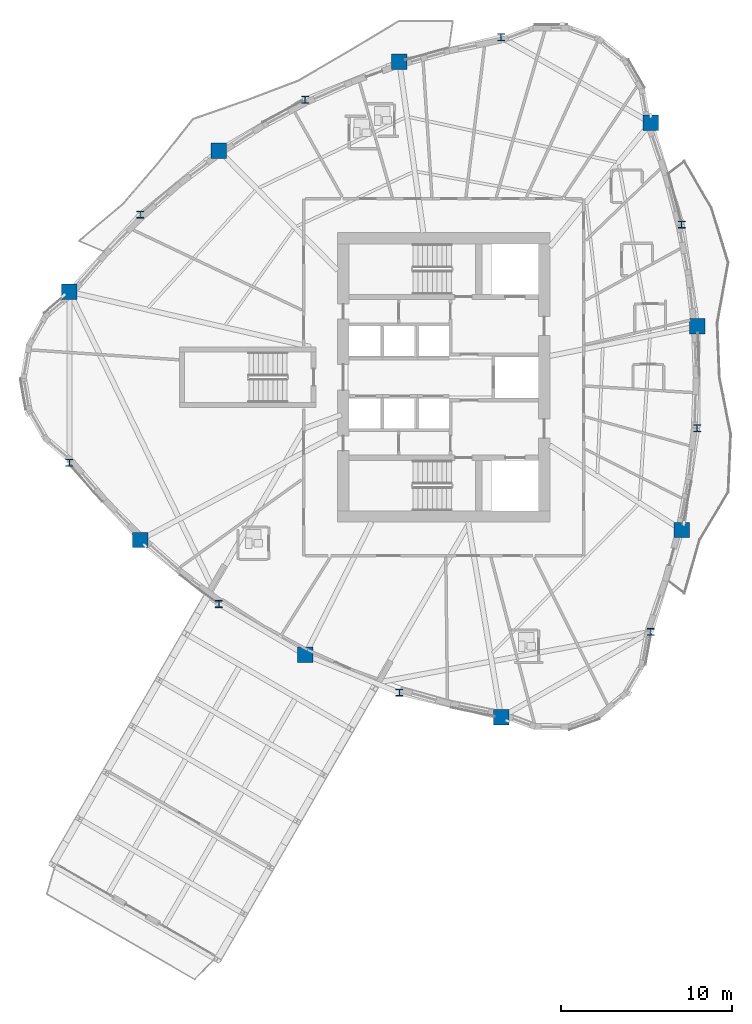
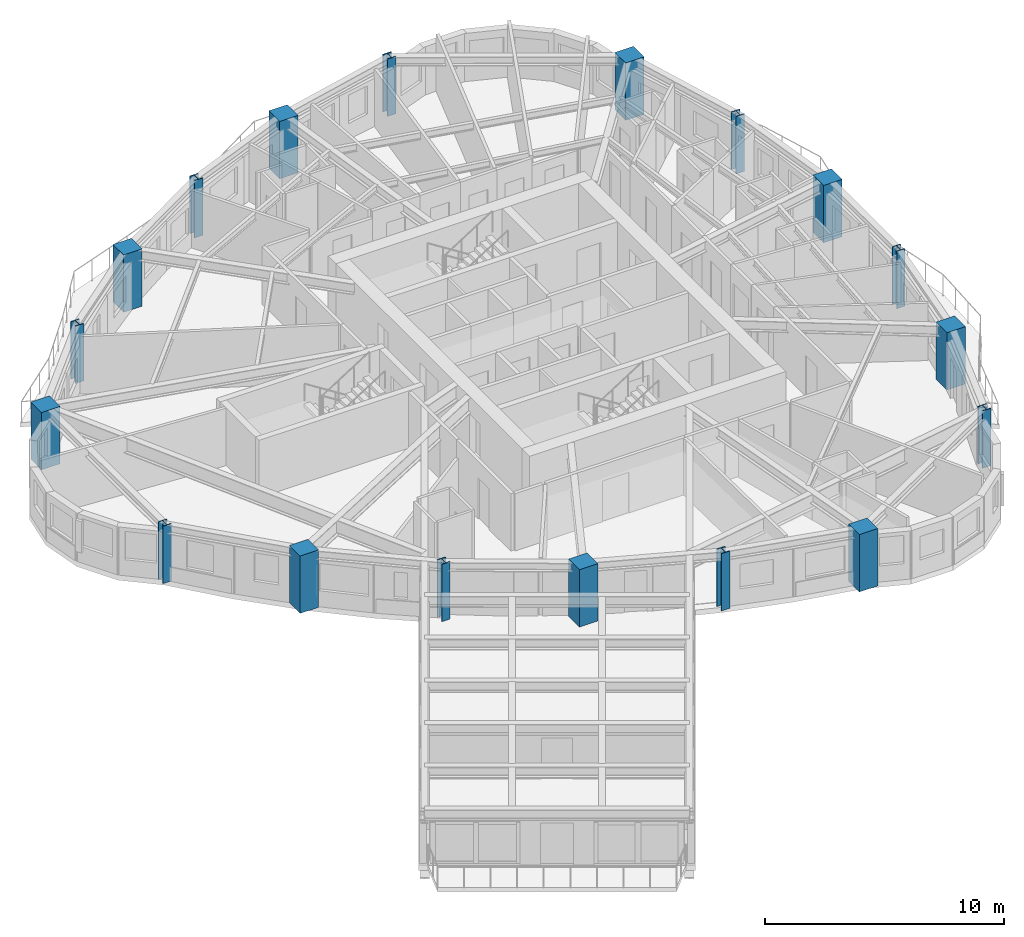
# One storey, part 1 of 17: 18 columns.
"""IFC4 building model written with IfcOpenShell, lengths in metres."""

from ifc_helpers import new_model, si_unit, direction, frame, origin, origin_2d, place, context, subcontext, project, spatial, rectangle, i_section, extrude, source, transform, mapped, material, material_profile, profile_set, type_object, element, save


model = new_model("IFC4")

# Units and contexts
model_context = context("Model", 3, precision=1e-05, world=origin(), true_north=direction((0.0, 1.0)))
body_context = subcontext(model_context, "Body", "Model", "MODEL_VIEW")
ifc_project = project(units=[si_unit("LENGTHUNIT", "METRE"), si_unit("AREAUNIT", "SQUARE_METRE"), si_unit("VOLUMEUNIT", "CUBIC_METRE"), si_unit("PLANEANGLEUNIT", "RADIAN"), si_unit("MASSUNIT", "GRAM", prefix="KILO")], contexts=[model_context])

# Site, building, storey
site_placement = place(None, origin())
site = spatial("IfcSite", under=ifc_project, at=site_placement, CompositionType="ELEMENT")
building_placement = place(site_placement, origin())
building = spatial("IfcBuilding", under=site, at=building_placement, Name="Qafzar Sky-Pleat Residences", CompositionType="ELEMENT")
storey_placement = place(building_placement, frame((0.0, 0.0, 112.0)))
storey = spatial("IfcBuildingStorey", under=building, at=storey_placement, Name="L33", CompositionType="ELEMENT", Elevation=112.0)

# Columns
ifc_material_1 = material(Name="Concrete C60/75", Category="concrete")
ifc_material_profile_1 = material_profile(ifc_material_1, rectangle(XDim=0.89990234375, YDim=0.89990234375, at=origin_2d()), Name="RC 900x900")
ifc_profile_set_1 = profile_set([ifc_material_profile_1], Name="Concrete C60/75")
column_type_1 = type_object("IfcColumnType", Name="COL-RC-900", PredefinedType="COLUMN", material=ifc_profile_set_1)
shared_shape_1 = source(origin(), body_context, "Body", "SweptSolid", [
    extrude(rectangle(XDim=0.89990234375, YDim=0.89990234375, at=origin_2d()), origin(), (0.0, 0.0, 1.0), 2.93505859375),
])
for number, where, z_axis, x_axis, name in (
    (1, (8.47412109375, 30.996337890625, 0.0), (0.0, 0.0, 1.0), (1.0, 0.0, 0.0), "L33 Perimeter Mega Column 1"),
    (2, (12.61572265625, 16.49462890625, 0.0), (0.0, 0.0, 1.0), (1.0, 0.0, 0.0), "L33 Perimeter Mega Column 3"),
    (3, (22.255615234375, 9.777587890625, 0.0), (0.0, 0.0, 1.0), (1.0, 0.0, 0.0), "L33 Perimeter Mega Column 5"),
    (4, (33.704345703125, 6.12841796875, 0.0), (0.0, 0.0, 1.0), (1.0, 0.0, 0.0), "L33 Perimeter Mega Column 7"),
    (5, (44.2587890625, 17.07470703125, 0.0), (0.0, 0.0, 1.0), (1.0, 0.0, 0.0), "L33 Perimeter Mega Column 9"),
    (6, (45.163330078125, 28.97509765625, 0.0), (0.0, 0.0, 1.0), (1.0, 0.0, 0.0), "L33 Perimeter Mega Column 11"),
    (7, (42.449951171875, 40.87548828125, 0.0), (0.0, 0.0, 1.0), (1.0, 0.0, 0.0), "L33 Perimeter Mega Column 13"),
    (8, (27.75390625, 44.4306640625, 0.0), (0.0, 0.0, 1.0), (1.0, 0.0, 0.0), "L33 Perimeter Mega Column 15"),
    (9, (17.20947265625, 39.247314453125, 0.0), (0.0, 0.0, 1.0), (1.0, 0.0, 0.0), "L33 Perimeter Mega Column 17"),
):
    element("IfcColumn", number, at=place(storey_placement, frame(where, z_axis=z_axis, x_axis=x_axis)), inside=storey, type_object=column_type_1, Name=name, PredefinedType="COLUMN", context=body_context, shape_type="MappedRepresentation", body=[
        mapped(shared_shape_1, transform((0.0, 0.0, 0.0), x_axis=(1.0, 0.0, 0.0), y_axis=(0.0, 1.0, 0.0), z_axis=(0.0, 0.0, 1.0), scale=1.0)),
    ])
ifc_material_2 = material(Name="Steel S460", Category="steel")
ifc_material_profile_2 = material_profile(ifc_material_2, i_section(OverallWidth=0.406005859375, OverallDepth=0.416015625, WebThickness=0.027099609375, FlangeThickness=0.0439453125, FilletRadius=0.014892578125, at=origin_2d()), Name="HD 400x382")
ifc_profile_set_2 = profile_set([ifc_material_profile_2], Name="Steel S460")
column_type_2 = type_object("IfcColumnType", Name="COL-STL-HD382", PredefinedType="PILASTER", material=ifc_profile_set_2)
shared_shape_2 = source(origin(), body_context, "Body", "SweptSolid", [
    extrude(i_section(OverallWidth=0.406005859375, OverallDepth=0.416015625, WebThickness=0.027099609375, FlangeThickness=0.0439453125, FilletRadius=0.014892578125, at=origin_2d()), origin(), (0.0, 0.0, 1.0), 2.93505859375),
])
for number, where, z_axis, x_axis, name in (
    (10, (8.47412109375, 21.003662109375, 0.0), (0.0, 0.0, 1.0), (1.0, 0.0, 0.0), "L33 Perimeter Mega Column 2"),
    (11, (17.20947265625, 12.752685546875, 0.0), (0.0, 0.0, 1.0), (1.0, 0.0, 0.0), "L33 Perimeter Mega Column 4"),
    (12, (27.75390625, 7.5693359375, 0.0), (0.0, 0.0, 1.0), (1.0, 0.0, 0.0), "L33 Perimeter Mega Column 6"),
    (13, (42.449951171875, 11.12451171875, 0.0), (0.0, 0.0, 1.0), (1.0, 0.0, 0.0), "L33 Perimeter Mega Column 8"),
    (14, (45.163330078125, 23.02490234375, 0.0), (0.0, 0.0, 1.0), (1.0, 0.0, 0.0), "L33 Perimeter Mega Column 10"),
    (15, (44.2587890625, 34.92529296875, 0.0), (0.0, 0.0, 1.0), (1.0, 0.0, 0.0), "L33 Perimeter Mega Column 12"),
    (16, (33.704345703125, 45.87158203125, 0.0), (0.0, 0.0, 1.0), (1.0, 0.0, 0.0), "L33 Perimeter Mega Column 14"),
    (17, (22.255615234375, 42.222412109375, 0.0), (0.0, 0.0, 1.0), (1.0, 0.0, 0.0), "L33 Perimeter Mega Column 16"),
    (18, (12.61572265625, 35.50537109375, 0.0), (0.0, 0.0, 1.0), (1.0, 0.0, 0.0), "L33 Perimeter Mega Column 18"),
):
    element("IfcColumn", number, at=place(storey_placement, frame(where, z_axis=z_axis, x_axis=x_axis)), inside=storey, type_object=column_type_2, Name=name, PredefinedType="PILASTER", context=body_context, shape_type="MappedRepresentation", body=[
        mapped(shared_shape_2, transform((0.0, 0.0, 0.0), x_axis=(1.0, 0.0, 0.0), y_axis=(0.0, 1.0, 0.0), z_axis=(0.0, 0.0, 1.0), scale=1.0)),
    ])

save(model, "model.ifc")
